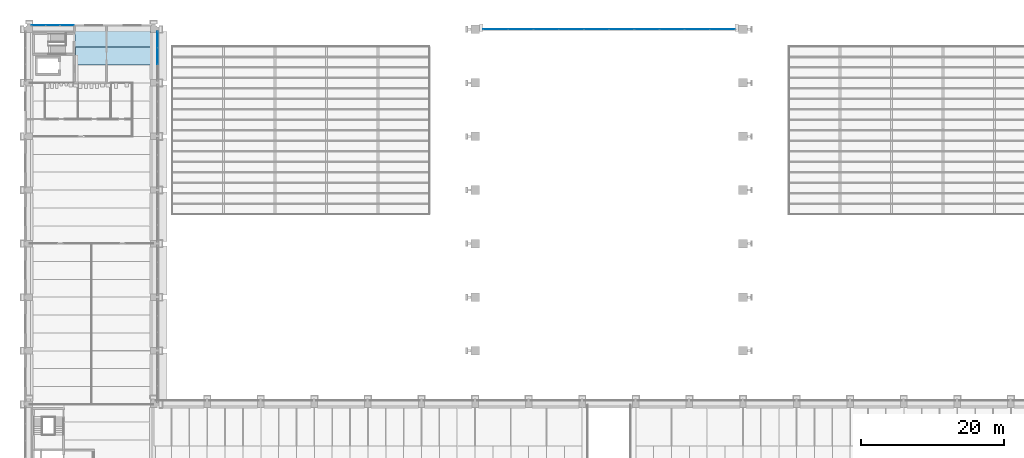
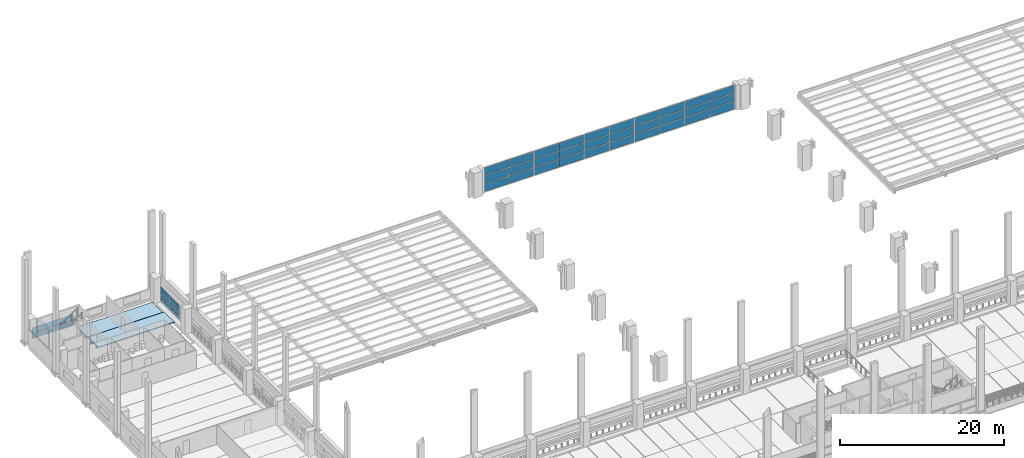
# One storey, part 31 of 67: 42 plates, 2 slabs, 7 elements without a shape of their own.
"""IFC4 building model written with IfcOpenShell, lengths in metres."""

from ifc_helpers import new_model, si_unit, direction, frame, origin, origin_2d, place, context, subcontext, project, spatial, polyline, rectangle, outline, extrude, material, layer, layer_set, material_profile, profile_set, type_object, element, aggregate, save


model = new_model("IFC4")

# Units and contexts
model_context = context("Model", 3, precision=1e-05, world=origin(), true_north=direction((0.0, 1.0)))
body_context = subcontext(model_context, "Body", "Model", "MODEL_VIEW")
ifc_project = project(units=[si_unit("LENGTHUNIT", "METRE"), si_unit("AREAUNIT", "SQUARE_METRE"), si_unit("VOLUMEUNIT", "CUBIC_METRE"), si_unit("PLANEANGLEUNIT", "RADIAN"), si_unit("MASSUNIT", "GRAM", prefix="KILO")], contexts=[model_context])

# Site, building, storey
site_placement = place(None, origin())
site = spatial("IfcSite", under=ifc_project, at=site_placement, CompositionType="ELEMENT")
building_placement = place(site_placement, origin())
building = spatial("IfcBuilding", under=site, at=building_placement, Name="Cour d'Honneur Mobility Palace", CompositionType="ELEMENT")
storey_placement = place(building_placement, frame((0.0, 0.0, 4.5)))
storey = spatial("IfcBuildingStorey", under=building, at=storey_placement, Name="L01", CompositionType="ELEMENT", Elevation=4.5)

# Curtain wall, plates
ifc_material_1 = material(Name="Aluminium and glass", Category="aluminium")
ifc_layer_1 = layer(ifc_material_1, 0.10009765625)
ifc_layer_set_1 = layer_set([ifc_layer_1], Name="Aluminium and glass")
curtain_wall_type = type_object("IfcCurtainWallType", Name="Curtain wall run", PredefinedType="NOTDEFINED", material=ifc_layer_set_1)
curtain_wall_1_placement = place(storey_placement, origin())
curtain_wall_1 = element("IfcCurtainWall", 1, at=curtain_wall_1_placement, inside=storey, type_object=curtain_wall_type, Name="Curtain wall CW-22", PredefinedType="NOTDEFINED")
ifc_material_2 = material(Name="Double glazing", Category="glass")
ifc_layer_2 = layer(ifc_material_2, 0.028076171875)
ifc_layer_set_2 = layer_set([ifc_layer_2], Name="Double glazing")
plate_type = type_object("IfcPlateType", Name="Curtain wall panel", PredefinedType="CURTAIN_PANEL", material=ifc_layer_set_2)
plate_1_placement = place(storey_placement, frame((17.949951171875, 111.14990234375, 0.06005859375), z_axis=(0.0, 0.0, 1.0), x_axis=(0.0, 1.0, 0.0)))
plate_1 = element("IfcPlate", 2, at=plate_1_placement, type_object=plate_type, Name="CW-22 panel 2.1", PredefinedType="CURTAIN_PANEL", context=body_context, shape_type="SweptSolid", body=[
    extrude(rectangle(XDim=2.239990234375, YDim=0.028076171875, at=origin_2d()), origin(), (0.0, 0.0, 1.0), 0.6767578125),
])
plate_2_placement = place(storey_placement, frame((17.949951171875, 111.14990234375, 0.79638671875), z_axis=(0.0, 0.0, 1.0), x_axis=(0.0, 1.0, 0.0)))
plate_2 = element("IfcPlate", 3, at=plate_2_placement, type_object=plate_type, Name="CW-22 panel 2.2", PredefinedType="CURTAIN_PANEL", context=body_context, shape_type="SweptSolid", body=[
    extrude(rectangle(XDim=2.239990234375, YDim=0.028076171875, at=origin_2d()), origin(), (0.0, 0.0, 1.0), 0.706787109375),
])
plate_3_placement = place(storey_placement, frame((17.949951171875, 111.14990234375, 1.563232421875), z_axis=(0.0, 0.0, 1.0), x_axis=(0.0, 1.0, 0.0)))
plate_3 = element("IfcPlate", 4, at=plate_3_placement, type_object=plate_type, Name="CW-22 panel 2.3", PredefinedType="CURTAIN_PANEL", context=body_context, shape_type="SweptSolid", body=[
    extrude(rectangle(XDim=2.239990234375, YDim=0.028076171875, at=origin_2d()), origin(), (0.0, 0.0, 1.0), 0.6767578125),
])
plate_4_placement = place(storey_placement, frame((17.949951171875, 113.43505859375, 0.06005859375), z_axis=(0.0, 0.0, 1.0), x_axis=(0.0, 1.0, 0.0)))
plate_4 = element("IfcPlate", 5, at=plate_4_placement, type_object=plate_type, Name="CW-22 panel 3.1", PredefinedType="CURTAIN_PANEL", context=body_context, shape_type="SweptSolid", body=[
    extrude(rectangle(XDim=2.2099609375, YDim=0.028076171875, at=origin_2d()), origin(), (0.0, 0.0, 1.0), 0.6767578125),
])
plate_5_placement = place(storey_placement, frame((17.949951171875, 113.43505859375, 0.79638671875), z_axis=(0.0, 0.0, 1.0), x_axis=(0.0, 1.0, 0.0)))
plate_5 = element("IfcPlate", 6, at=plate_5_placement, type_object=plate_type, Name="CW-22 panel 3.2", PredefinedType="CURTAIN_PANEL", context=body_context, shape_type="SweptSolid", body=[
    extrude(rectangle(XDim=2.2099609375, YDim=0.028076171875, at=origin_2d()), origin(), (0.0, 0.0, 1.0), 0.706787109375),
])
plate_6_placement = place(storey_placement, frame((17.949951171875, 113.43505859375, 1.563232421875), z_axis=(0.0, 0.0, 1.0), x_axis=(0.0, 1.0, 0.0)))
plate_6 = element("IfcPlate", 7, at=plate_6_placement, type_object=plate_type, Name="CW-22 panel 3.3", PredefinedType="CURTAIN_PANEL", context=body_context, shape_type="SweptSolid", body=[
    extrude(rectangle(XDim=2.2099609375, YDim=0.028076171875, at=origin_2d()), origin(), (0.0, 0.0, 1.0), 0.6767578125),
])
aggregate(curtain_wall_1, [plate_1, plate_2, plate_3, plate_4, plate_5, plate_6])

curtain_wall_2_placement = place(storey_placement, origin())
curtain_wall_2 = element("IfcCurtainWall", 8, at=curtain_wall_2_placement, inside=storey, type_object=curtain_wall_type, Name="Curtain wall CW-124", PredefinedType="NOTDEFINED")
plate_7_placement = place(storey_placement, frame((5.284912109375, 115.449951171875, 0.06005859375), z_axis=(0.0, 0.0, 1.0), x_axis=(-1.0, 0.0, 0.0)))
plate_7 = element("IfcPlate", 9, at=plate_7_placement, type_object=plate_type, Name="CW-124 panel 1.1", PredefinedType="CURTAIN_PANEL", context=body_context, shape_type="SweptSolid", body=[
    extrude(rectangle(XDim=1.909912109375, YDim=0.028076171875, at=origin_2d()), origin(), (0.0, 0.0, 1.0), 0.760009765625),
])
plate_8_placement = place(storey_placement, frame((5.284912109375, 115.449951171875, 0.8798828125), z_axis=(0.0, 0.0, 1.0), x_axis=(-1.0, 0.0, 0.0)))
plate_8 = element("IfcPlate", 10, at=plate_8_placement, type_object=plate_type, Name="CW-124 panel 1.2", PredefinedType="CURTAIN_PANEL", context=body_context, shape_type="SweptSolid", body=[
    extrude(rectangle(XDim=1.909912109375, YDim=0.028076171875, at=origin_2d()), origin(), (0.0, 0.0, 1.0), 0.760009765625),
])
plate_9_placement = place(storey_placement, frame((3.300048828125, 115.449951171875, 0.06005859375), z_axis=(0.0, 0.0, 1.0), x_axis=(-1.0, 0.0, 0.0)))
plate_9 = element("IfcPlate", 11, at=plate_9_placement, type_object=plate_type, Name="CW-124 panel 2.1", PredefinedType="CURTAIN_PANEL", context=body_context, shape_type="SweptSolid", body=[
    extrude(rectangle(XDim=1.93994140625, YDim=0.028076171875, at=origin_2d()), origin(), (0.0, 0.0, 1.0), 0.760009765625),
])
plate_10_placement = place(storey_placement, frame((3.300048828125, 115.449951171875, 0.8798828125), z_axis=(0.0, 0.0, 1.0), x_axis=(-1.0, 0.0, 0.0)))
plate_10 = element("IfcPlate", 12, at=plate_10_placement, type_object=plate_type, Name="CW-124 panel 2.2", PredefinedType="CURTAIN_PANEL", context=body_context, shape_type="SweptSolid", body=[
    extrude(rectangle(XDim=1.93994140625, YDim=0.028076171875, at=origin_2d()), origin(), (0.0, 0.0, 1.0), 0.760009765625),
])
plate_11_placement = place(storey_placement, frame((1.31494140625, 115.449951171875, 0.06005859375), z_axis=(0.0, 0.0, 1.0), x_axis=(-1.0, 0.0, 0.0)))
plate_11 = element("IfcPlate", 13, at=plate_11_placement, type_object=plate_type, Name="CW-124 panel 3.1", PredefinedType="CURTAIN_PANEL", context=body_context, shape_type="SweptSolid", body=[
    extrude(rectangle(XDim=1.909912109375, YDim=0.028076171875, at=origin_2d()), origin(), (0.0, 0.0, 1.0), 0.760009765625),
])
plate_12_placement = place(storey_placement, frame((1.31494140625, 115.449951171875, 0.8798828125), z_axis=(0.0, 0.0, 1.0), x_axis=(-1.0, 0.0, 0.0)))
plate_12 = element("IfcPlate", 14, at=plate_12_placement, type_object=plate_type, Name="CW-124 panel 3.2", PredefinedType="CURTAIN_PANEL", context=body_context, shape_type="SweptSolid", body=[
    extrude(rectangle(XDim=1.909912109375, YDim=0.028076171875, at=origin_2d()), origin(), (0.0, 0.0, 1.0), 0.760009765625),
])
aggregate(curtain_wall_2, [plate_7, plate_8, plate_9, plate_10, plate_11, plate_12])

curtain_wall_3_placement = place(storey_placement, origin())
curtain_wall_3 = element("IfcCurtainWall", 15, at=curtain_wall_3_placement, inside=storey, type_object=curtain_wall_type, Name="Curtain wall CW-171", PredefinedType="NOTDEFINED")
plate_13_placement = place(storey_placement, frame((65.280029296875, 114.89990234375, 0.06005859375), z_axis=(0.0, 0.0, 1.0), x_axis=(1.0, 0.0, 0.0)))
plate_13 = element("IfcPlate", 16, at=plate_13_placement, type_object=plate_type, Name="CW-171 panel 1.1", PredefinedType="CURTAIN_PANEL", context=body_context, shape_type="SweptSolid", body=[
    extrude(rectangle(XDim=3.43994140625, YDim=0.028076171875, at=origin_2d()), origin(), (0.0, 0.0, 1.0), 1.143310546875),
])
plate_14_placement = place(storey_placement, frame((65.280029296875, 114.89990234375, 1.263427734375), z_axis=(0.0, 0.0, 1.0), x_axis=(1.0, 0.0, 0.0)))
plate_14 = element("IfcPlate", 17, at=plate_14_placement, type_object=plate_type, Name="CW-171 panel 1.2", PredefinedType="CURTAIN_PANEL", context=body_context, shape_type="SweptSolid", body=[
    extrude(rectangle(XDim=3.43994140625, YDim=0.028076171875, at=origin_2d()), origin(), (0.0, 0.0, 1.0), 1.17333984375),
])
plate_15_placement = place(storey_placement, frame((65.280029296875, 114.89990234375, 2.49658203125), z_axis=(0.0, 0.0, 1.0), x_axis=(1.0, 0.0, 0.0)))
plate_15 = element("IfcPlate", 18, at=plate_15_placement, type_object=plate_type, Name="CW-171 panel 1.3", PredefinedType="CURTAIN_PANEL", context=body_context, shape_type="SweptSolid", body=[
    extrude(rectangle(XDim=3.43994140625, YDim=0.028076171875, at=origin_2d()), origin(), (0.0, 0.0, 1.0), 1.143310546875),
])
plate_16_placement = place(storey_placement, frame((68.780029296875, 114.89990234375, 0.06005859375), z_axis=(0.0, 0.0, 1.0), x_axis=(1.0, 0.0, 0.0)))
plate_16 = element("IfcPlate", 19, at=plate_16_placement, type_object=plate_type, Name="CW-171 panel 2.1", PredefinedType="CURTAIN_PANEL", context=body_context, shape_type="SweptSolid", body=[
    extrude(rectangle(XDim=3.43994140625, YDim=0.028076171875, at=origin_2d()), origin(), (0.0, 0.0, 1.0), 1.143310546875),
])
plate_17_placement = place(storey_placement, frame((68.780029296875, 114.89990234375, 1.263427734375), z_axis=(0.0, 0.0, 1.0), x_axis=(1.0, 0.0, 0.0)))
plate_17 = element("IfcPlate", 20, at=plate_17_placement, type_object=plate_type, Name="CW-171 panel 2.2", PredefinedType="CURTAIN_PANEL", context=body_context, shape_type="SweptSolid", body=[
    extrude(rectangle(XDim=3.43994140625, YDim=0.028076171875, at=origin_2d()), origin(), (0.0, 0.0, 1.0), 1.17333984375),
])
plate_18_placement = place(storey_placement, frame((68.780029296875, 114.89990234375, 2.49658203125), z_axis=(0.0, 0.0, 1.0), x_axis=(1.0, 0.0, 0.0)))
plate_18 = element("IfcPlate", 21, at=plate_18_placement, type_object=plate_type, Name="CW-171 panel 2.3", PredefinedType="CURTAIN_PANEL", context=body_context, shape_type="SweptSolid", body=[
    extrude(rectangle(XDim=3.43994140625, YDim=0.028076171875, at=origin_2d()), origin(), (0.0, 0.0, 1.0), 1.143310546875),
])
aggregate(curtain_wall_3, [plate_13, plate_14, plate_15, plate_16, plate_17, plate_18])

curtain_wall_4_placement = place(storey_placement, origin())
curtain_wall_4 = element("IfcCurtainWall", 22, at=curtain_wall_4_placement, inside=storey, type_object=curtain_wall_type, Name="Curtain wall CW-172", PredefinedType="NOTDEFINED")
plate_19_placement = place(storey_placement, frame((72.340087890625, 114.89990234375, 0.06005859375), z_axis=(0.0, 0.0, 1.0), x_axis=(1.0, 0.0, 0.0)))
plate_19 = element("IfcPlate", 23, at=plate_19_placement, type_object=plate_type, Name="CW-172 panel 1.1", PredefinedType="CURTAIN_PANEL", context=body_context, shape_type="SweptSolid", body=[
    extrude(rectangle(XDim=3.43994140625, YDim=0.028076171875, at=origin_2d()), origin(), (0.0, 0.0, 1.0), 1.143310546875),
])
plate_20_placement = place(storey_placement, frame((72.340087890625, 114.89990234375, 1.263427734375), z_axis=(0.0, 0.0, 1.0), x_axis=(1.0, 0.0, 0.0)))
plate_20 = element("IfcPlate", 24, at=plate_20_placement, type_object=plate_type, Name="CW-172 panel 1.2", PredefinedType="CURTAIN_PANEL", context=body_context, shape_type="SweptSolid", body=[
    extrude(rectangle(XDim=3.43994140625, YDim=0.028076171875, at=origin_2d()), origin(), (0.0, 0.0, 1.0), 1.17333984375),
])
plate_21_placement = place(storey_placement, frame((72.340087890625, 114.89990234375, 2.49658203125), z_axis=(0.0, 0.0, 1.0), x_axis=(1.0, 0.0, 0.0)))
plate_21 = element("IfcPlate", 25, at=plate_21_placement, type_object=plate_type, Name="CW-172 panel 1.3", PredefinedType="CURTAIN_PANEL", context=body_context, shape_type="SweptSolid", body=[
    extrude(rectangle(XDim=3.43994140625, YDim=0.028076171875, at=origin_2d()), origin(), (0.0, 0.0, 1.0), 1.143310546875),
])
plate_22_placement = place(storey_placement, frame((75.840087890625, 114.89990234375, 0.06005859375), z_axis=(0.0, 0.0, 1.0), x_axis=(1.0, 0.0, 0.0)))
plate_22 = element("IfcPlate", 26, at=plate_22_placement, type_object=plate_type, Name="CW-172 panel 2.1", PredefinedType="CURTAIN_PANEL", context=body_context, shape_type="SweptSolid", body=[
    extrude(rectangle(XDim=3.43994140625, YDim=0.028076171875, at=origin_2d()), origin(), (0.0, 0.0, 1.0), 1.143310546875),
])
plate_23_placement = place(storey_placement, frame((75.840087890625, 114.89990234375, 1.263427734375), z_axis=(0.0, 0.0, 1.0), x_axis=(1.0, 0.0, 0.0)))
plate_23 = element("IfcPlate", 27, at=plate_23_placement, type_object=plate_type, Name="CW-172 panel 2.2", PredefinedType="CURTAIN_PANEL", context=body_context, shape_type="SweptSolid", body=[
    extrude(rectangle(XDim=3.43994140625, YDim=0.028076171875, at=origin_2d()), origin(), (0.0, 0.0, 1.0), 1.17333984375),
])
plate_24_placement = place(storey_placement, frame((75.840087890625, 114.89990234375, 2.49658203125), z_axis=(0.0, 0.0, 1.0), x_axis=(1.0, 0.0, 0.0)))
plate_24 = element("IfcPlate", 28, at=plate_24_placement, type_object=plate_type, Name="CW-172 panel 2.3", PredefinedType="CURTAIN_PANEL", context=body_context, shape_type="SweptSolid", body=[
    extrude(rectangle(XDim=3.43994140625, YDim=0.028076171875, at=origin_2d()), origin(), (0.0, 0.0, 1.0), 1.143310546875),
])
aggregate(curtain_wall_4, [plate_19, plate_20, plate_21, plate_22, plate_23, plate_24])

curtain_wall_5_placement = place(storey_placement, origin())
curtain_wall_5 = element("IfcCurtainWall", 29, at=curtain_wall_5_placement, inside=storey, type_object=curtain_wall_type, Name="Curtain wall CW-173", PredefinedType="NOTDEFINED")
plate_25_placement = place(storey_placement, frame((79.39990234375, 114.89990234375, 0.06005859375), z_axis=(0.0, 0.0, 1.0), x_axis=(1.0, 0.0, 0.0)))
plate_25 = element("IfcPlate", 30, at=plate_25_placement, type_object=plate_type, Name="CW-173 panel 1.1", PredefinedType="CURTAIN_PANEL", context=body_context, shape_type="SweptSolid", body=[
    extrude(rectangle(XDim=3.43994140625, YDim=0.028076171875, at=origin_2d()), origin(), (0.0, 0.0, 1.0), 1.143310546875),
])
plate_26_placement = place(storey_placement, frame((79.39990234375, 114.89990234375, 1.263427734375), z_axis=(0.0, 0.0, 1.0), x_axis=(1.0, 0.0, 0.0)))
plate_26 = element("IfcPlate", 31, at=plate_26_placement, type_object=plate_type, Name="CW-173 panel 1.2", PredefinedType="CURTAIN_PANEL", context=body_context, shape_type="SweptSolid", body=[
    extrude(rectangle(XDim=3.43994140625, YDim=0.028076171875, at=origin_2d()), origin(), (0.0, 0.0, 1.0), 1.17333984375),
])
plate_27_placement = place(storey_placement, frame((79.39990234375, 114.89990234375, 2.49658203125), z_axis=(0.0, 0.0, 1.0), x_axis=(1.0, 0.0, 0.0)))
plate_27 = element("IfcPlate", 32, at=plate_27_placement, type_object=plate_type, Name="CW-173 panel 1.3", PredefinedType="CURTAIN_PANEL", context=body_context, shape_type="SweptSolid", body=[
    extrude(rectangle(XDim=3.43994140625, YDim=0.028076171875, at=origin_2d()), origin(), (0.0, 0.0, 1.0), 1.143310546875),
])
plate_28_placement = place(storey_placement, frame((82.89990234375, 114.89990234375, 0.06005859375), z_axis=(0.0, 0.0, 1.0), x_axis=(1.0, 0.0, 0.0)))
plate_28 = element("IfcPlate", 33, at=plate_28_placement, type_object=plate_type, Name="CW-173 panel 2.1", PredefinedType="CURTAIN_PANEL", context=body_context, shape_type="SweptSolid", body=[
    extrude(rectangle(XDim=3.43994140625, YDim=0.028076171875, at=origin_2d()), origin(), (0.0, 0.0, 1.0), 1.143310546875),
])
plate_29_placement = place(storey_placement, frame((82.89990234375, 114.89990234375, 1.263427734375), z_axis=(0.0, 0.0, 1.0), x_axis=(1.0, 0.0, 0.0)))
plate_29 = element("IfcPlate", 34, at=plate_29_placement, type_object=plate_type, Name="CW-173 panel 2.2", PredefinedType="CURTAIN_PANEL", context=body_context, shape_type="SweptSolid", body=[
    extrude(rectangle(XDim=3.43994140625, YDim=0.028076171875, at=origin_2d()), origin(), (0.0, 0.0, 1.0), 1.17333984375),
])
plate_30_placement = place(storey_placement, frame((82.89990234375, 114.89990234375, 2.49658203125), z_axis=(0.0, 0.0, 1.0), x_axis=(1.0, 0.0, 0.0)))
plate_30 = element("IfcPlate", 35, at=plate_30_placement, type_object=plate_type, Name="CW-173 panel 2.3", PredefinedType="CURTAIN_PANEL", context=body_context, shape_type="SweptSolid", body=[
    extrude(rectangle(XDim=3.43994140625, YDim=0.028076171875, at=origin_2d()), origin(), (0.0, 0.0, 1.0), 1.143310546875),
])
aggregate(curtain_wall_5, [plate_25, plate_26, plate_27, plate_28, plate_29, plate_30])

curtain_wall_6_placement = place(storey_placement, origin())
curtain_wall_6 = element("IfcCurtainWall", 36, at=curtain_wall_6_placement, inside=storey, type_object=curtain_wall_type, Name="Curtain wall CW-174", PredefinedType="NOTDEFINED")
plate_31_placement = place(storey_placement, frame((86.4599609375, 114.89990234375, 0.06005859375), z_axis=(0.0, 0.0, 1.0), x_axis=(1.0, 0.0, 0.0)))
plate_31 = element("IfcPlate", 37, at=plate_31_placement, type_object=plate_type, Name="CW-174 panel 1.1", PredefinedType="CURTAIN_PANEL", context=body_context, shape_type="SweptSolid", body=[
    extrude(rectangle(XDim=3.43994140625, YDim=0.028076171875, at=origin_2d()), origin(), (0.0, 0.0, 1.0), 1.143310546875),
])
plate_32_placement = place(storey_placement, frame((86.4599609375, 114.89990234375, 1.263427734375), z_axis=(0.0, 0.0, 1.0), x_axis=(1.0, 0.0, 0.0)))
plate_32 = element("IfcPlate", 38, at=plate_32_placement, type_object=plate_type, Name="CW-174 panel 1.2", PredefinedType="CURTAIN_PANEL", context=body_context, shape_type="SweptSolid", body=[
    extrude(rectangle(XDim=3.43994140625, YDim=0.028076171875, at=origin_2d()), origin(), (0.0, 0.0, 1.0), 1.17333984375),
])
plate_33_placement = place(storey_placement, frame((86.4599609375, 114.89990234375, 2.49658203125), z_axis=(0.0, 0.0, 1.0), x_axis=(1.0, 0.0, 0.0)))
plate_33 = element("IfcPlate", 39, at=plate_33_placement, type_object=plate_type, Name="CW-174 panel 1.3", PredefinedType="CURTAIN_PANEL", context=body_context, shape_type="SweptSolid", body=[
    extrude(rectangle(XDim=3.43994140625, YDim=0.028076171875, at=origin_2d()), origin(), (0.0, 0.0, 1.0), 1.143310546875),
])
plate_34_placement = place(storey_placement, frame((89.9599609375, 114.89990234375, 0.06005859375), z_axis=(0.0, 0.0, 1.0), x_axis=(1.0, 0.0, 0.0)))
plate_34 = element("IfcPlate", 40, at=plate_34_placement, type_object=plate_type, Name="CW-174 panel 2.1", PredefinedType="CURTAIN_PANEL", context=body_context, shape_type="SweptSolid", body=[
    extrude(rectangle(XDim=3.43994140625, YDim=0.028076171875, at=origin_2d()), origin(), (0.0, 0.0, 1.0), 1.143310546875),
])
plate_35_placement = place(storey_placement, frame((89.9599609375, 114.89990234375, 1.263427734375), z_axis=(0.0, 0.0, 1.0), x_axis=(1.0, 0.0, 0.0)))
plate_35 = element("IfcPlate", 41, at=plate_35_placement, type_object=plate_type, Name="CW-174 panel 2.2", PredefinedType="CURTAIN_PANEL", context=body_context, shape_type="SweptSolid", body=[
    extrude(rectangle(XDim=3.43994140625, YDim=0.028076171875, at=origin_2d()), origin(), (0.0, 0.0, 1.0), 1.17333984375),
])
plate_36_placement = place(storey_placement, frame((89.9599609375, 114.89990234375, 2.49658203125), z_axis=(0.0, 0.0, 1.0), x_axis=(1.0, 0.0, 0.0)))
plate_36 = element("IfcPlate", 42, at=plate_36_placement, type_object=plate_type, Name="CW-174 panel 2.3", PredefinedType="CURTAIN_PANEL", context=body_context, shape_type="SweptSolid", body=[
    extrude(rectangle(XDim=3.43994140625, YDim=0.028076171875, at=origin_2d()), origin(), (0.0, 0.0, 1.0), 1.143310546875),
])
aggregate(curtain_wall_6, [plate_31, plate_32, plate_33, plate_34, plate_35, plate_36])

curtain_wall_7_placement = place(storey_placement, origin())
curtain_wall_7 = element("IfcCurtainWall", 43, at=curtain_wall_7_placement, inside=storey, type_object=curtain_wall_type, Name="Curtain wall CW-175", PredefinedType="NOTDEFINED")
plate_37_placement = place(storey_placement, frame((93.52001953125, 114.89990234375, 0.06005859375), z_axis=(0.0, 0.0, 1.0), x_axis=(1.0, 0.0, 0.0)))
plate_37 = element("IfcPlate", 44, at=plate_37_placement, type_object=plate_type, Name="CW-175 panel 1.1", PredefinedType="CURTAIN_PANEL", context=body_context, shape_type="SweptSolid", body=[
    extrude(rectangle(XDim=3.43994140625, YDim=0.028076171875, at=origin_2d()), origin(), (0.0, 0.0, 1.0), 1.143310546875),
])
plate_38_placement = place(storey_placement, frame((93.52001953125, 114.89990234375, 1.263427734375), z_axis=(0.0, 0.0, 1.0), x_axis=(1.0, 0.0, 0.0)))
plate_38 = element("IfcPlate", 45, at=plate_38_placement, type_object=plate_type, Name="CW-175 panel 1.2", PredefinedType="CURTAIN_PANEL", context=body_context, shape_type="SweptSolid", body=[
    extrude(rectangle(XDim=3.43994140625, YDim=0.028076171875, at=origin_2d()), origin(), (0.0, 0.0, 1.0), 1.17333984375),
])
plate_39_placement = place(storey_placement, frame((93.52001953125, 114.89990234375, 2.49658203125), z_axis=(0.0, 0.0, 1.0), x_axis=(1.0, 0.0, 0.0)))
plate_39 = element("IfcPlate", 46, at=plate_39_placement, type_object=plate_type, Name="CW-175 panel 1.3", PredefinedType="CURTAIN_PANEL", context=body_context, shape_type="SweptSolid", body=[
    extrude(rectangle(XDim=3.43994140625, YDim=0.028076171875, at=origin_2d()), origin(), (0.0, 0.0, 1.0), 1.143310546875),
])
plate_40_placement = place(storey_placement, frame((97.02001953125, 114.89990234375, 0.06005859375), z_axis=(0.0, 0.0, 1.0), x_axis=(1.0, 0.0, 0.0)))
plate_40 = element("IfcPlate", 47, at=plate_40_placement, type_object=plate_type, Name="CW-175 panel 2.1", PredefinedType="CURTAIN_PANEL", context=body_context, shape_type="SweptSolid", body=[
    extrude(rectangle(XDim=3.43994140625, YDim=0.028076171875, at=origin_2d()), origin(), (0.0, 0.0, 1.0), 1.143310546875),
])
plate_41_placement = place(storey_placement, frame((97.02001953125, 114.89990234375, 1.263427734375), z_axis=(0.0, 0.0, 1.0), x_axis=(1.0, 0.0, 0.0)))
plate_41 = element("IfcPlate", 48, at=plate_41_placement, type_object=plate_type, Name="CW-175 panel 2.2", PredefinedType="CURTAIN_PANEL", context=body_context, shape_type="SweptSolid", body=[
    extrude(rectangle(XDim=3.43994140625, YDim=0.028076171875, at=origin_2d()), origin(), (0.0, 0.0, 1.0), 1.17333984375),
])
plate_42_placement = place(storey_placement, frame((97.02001953125, 114.89990234375, 2.49658203125), z_axis=(0.0, 0.0, 1.0), x_axis=(1.0, 0.0, 0.0)))
plate_42 = element("IfcPlate", 49, at=plate_42_placement, type_object=plate_type, Name="CW-175 panel 2.3", PredefinedType="CURTAIN_PANEL", context=body_context, shape_type="SweptSolid", body=[
    extrude(rectangle(XDim=3.43994140625, YDim=0.028076171875, at=origin_2d()), origin(), (0.0, 0.0, 1.0), 1.143310546875),
])
aggregate(curtain_wall_7, [plate_37, plate_38, plate_39, plate_40, plate_41, plate_42])

# Slabs
ifc_material_3 = material(Name="Concrete C45", Category="concrete")
ifc_material_profile = material_profile(ifc_material_3, outline(polyline([(-1.2451171875, 0.0), (1.2451171875, 0.0), (1.2451171875, -0.10009765625), (0.679931640625, -0.10009765625), (0.64990234375, -0.60009765625), (0.550048828125, -0.60009765625), (0.52001953125, -0.10009765625), (-0.52001953125, -0.10009765625), (-0.550048828125, -0.60009765625), (-0.64990234375, -0.60009765625), (-0.679931640625, -0.10009765625), (-1.2451171875, -0.10009765625), (-1.2451171875, 0.0)])), Name="DT 2490x600")
ifc_profile_set = profile_set([ifc_material_profile], Name="Concrete C45")
slab_type = type_object("IfcSlabType", Name="DT 2490x600", PredefinedType="FLOOR", material=ifc_profile_set)
slab_1_placement = place(storey_placement, frame((6.5, 111.14990234375, 0.0), z_axis=(1.0, 0.0, 0.0), x_axis=(0.0, 1.0, 0.0)))
element("IfcSlab", 50, at=slab_1_placement, inside=storey, type_object=slab_type, Name="Double tee DT-NW20 L01", PredefinedType="FLOOR", context=body_context, shape_type="SweptSolid", body=[
    extrude(outline(polyline([(-1.2451171875, 0.0), (1.2451171875, 0.0), (1.2451171875, -0.10009765625), (0.679931640625, -0.10009765625), (0.64990234375, -0.60009765625), (0.550048828125, -0.60009765625), (0.52001953125, -0.10009765625), (-0.52001953125, -0.10009765625), (-0.550048828125, -0.60009765625), (-0.64990234375, -0.60009765625), (-0.679931640625, -0.10009765625), (-1.2451171875, -0.10009765625), (-1.2451171875, 0.0)])), origin(), (0.0, 0.0, 1.0), 10.699951171875),
])
slab_2_placement = place(storey_placement, frame((6.425048828125, 113.64990234375, 0.0), z_axis=(1.0, 0.0, 0.0), x_axis=(0.0, 1.0, 0.0)))
element("IfcSlab", 51, at=slab_2_placement, inside=storey, type_object=slab_type, Name="Double tee DT-NW21 L01", PredefinedType="FLOOR", context=body_context, shape_type="SweptSolid", body=[
    extrude(outline(polyline([(-1.2451171875, 0.0), (1.2451171875, 0.0), (1.2451171875, -0.10009765625), (0.679931640625, -0.10009765625), (0.64990234375, -0.60009765625), (0.550048828125, -0.60009765625), (0.52001953125, -0.10009765625), (-0.52001953125, -0.10009765625), (-0.550048828125, -0.60009765625), (-0.64990234375, -0.60009765625), (-0.679931640625, -0.10009765625), (-1.2451171875, -0.10009765625), (-1.2451171875, 0.0)])), origin(), (0.0, 0.0, 1.0), 10.52490234375),
])

save(model, "model.ifc")
